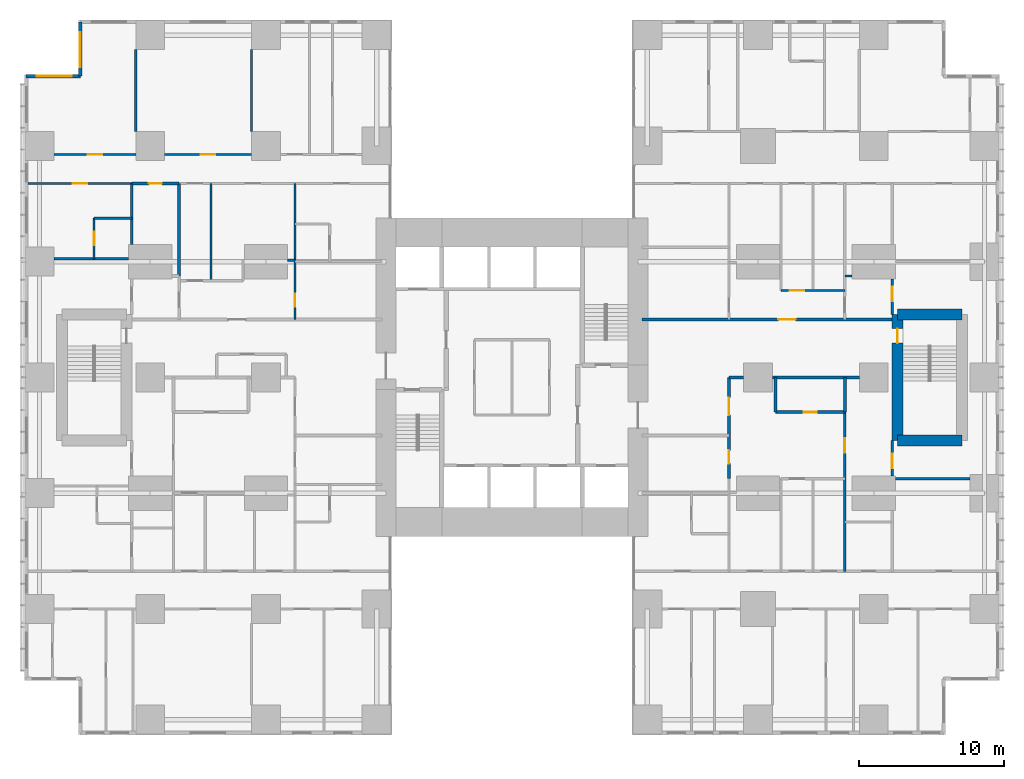
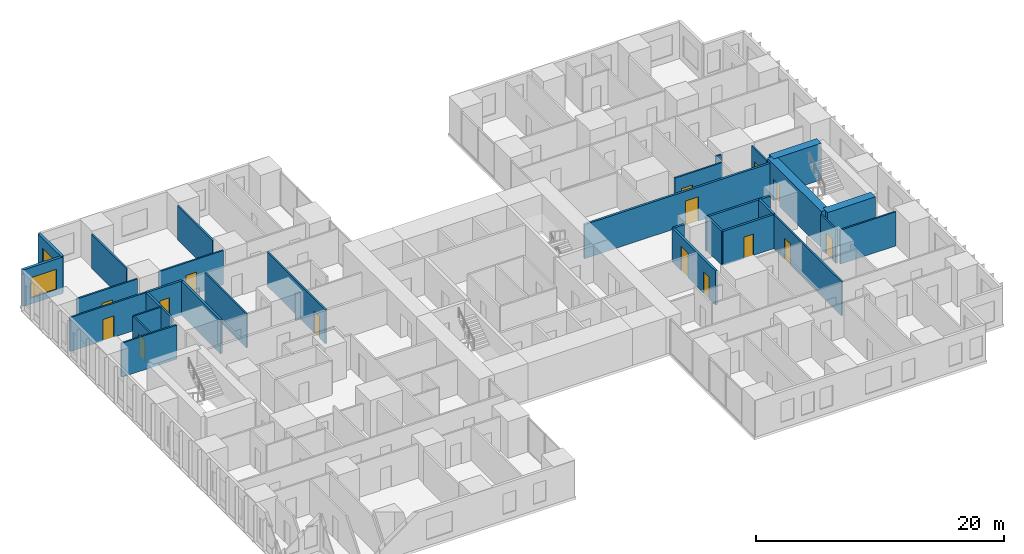
# One storey, part 16 of 20: 32 walls, 15 doors, 2 windows, 17 openings.
"""IFC4 building model written with IfcOpenShell, lengths in metres."""

from ifc_helpers import new_model, si_unit, direction, frame, frame_2d, origin, place, context, subcontext, project, spatial, rectangle, extrude, material, layer, layer_set, type_object, element, fill, save


model = new_model("IFC4")

# Units and contexts
model_context = context("Model", 3, precision=1e-05, world=origin(), true_north=direction((0.0, 1.0)))
body_context = subcontext(model_context, "Body", "Model", "MODEL_VIEW")
ifc_project = project(units=[si_unit("LENGTHUNIT", "METRE"), si_unit("AREAUNIT", "SQUARE_METRE"), si_unit("VOLUMEUNIT", "CUBIC_METRE"), si_unit("PLANEANGLEUNIT", "RADIAN"), si_unit("MASSUNIT", "GRAM", prefix="KILO")], contexts=[model_context])

# Site, building, storey
site_placement = place(None, origin())
site = spatial("IfcSite", under=ifc_project, at=site_placement, CompositionType="ELEMENT")
building_placement = place(site_placement, origin())
building = spatial("IfcBuilding", under=site, at=building_placement, Name="Cleftline Residences", CompositionType="ELEMENT")
storey_placement = place(building_placement, frame((0.0, 0.0, 83.60009765625)))
storey = spatial("IfcBuildingStorey", under=building, at=storey_placement, Name="L21", CompositionType="ELEMENT", Elevation=83.60009765625)

# Wall, opening, window
ifc_material_1 = material(Name="Rendered reinforced concrete blockwork", Category="masonry")
ifc_layer_1 = layer(ifc_material_1, 0.25)
ifc_layer_set_1 = layer_set([ifc_layer_1], Name="EXTERNAL WALL 250")
wall_type_1 = type_object("IfcWallType", Name="EXTERNAL WALL 250", PredefinedType="SOLIDWALL", material=ifc_layer_set_1)
wall_1_placement = place(storey_placement, frame((3.175048828125, 48.574951171875, 0.0), z_axis=(0.0, 0.0, 1.0), x_axis=(0.0, -1.0, 0.0)))
wall_1 = element("IfcWall", 1, at=wall_1_placement, inside=storey, type_object=wall_type_1, Name="External wall", PredefinedType="SOLIDWALL", context=body_context, shape_type="SweptSolid", body=[
    extrude(rectangle(XDim=3.75, YDim=0.25, at=frame_2d((1.875, 0.0))), origin(), (0.0, 0.0, 1.0), 3.599853515625),
])
opening_1_placement = place(wall_1_placement, frame((0.737548828125, 0.0, 0.60009765625)))
opening_1 = element("IfcOpeningElement", 2, at=opening_1_placement, cuts=wall_1, Name="Opening W6", PredefinedType="OPENING", context=body_context, shape_type="SweptSolid", body=[
    extrude(rectangle(XDim=2.39990234375, YDim=2.0, at=frame_2d((1.199951171875, 1.0))), frame((0.0, 0.135009765625, 0.0), z_axis=(0.0, -1.0, 0.0), x_axis=(1.0, 0.0, 0.0)), (0.0, 0.0, 1.0), 0.27001953125),
])
ifc_material_2 = material(Name="Aluminium frame, clear double glazing", Category="aluminium")
window_type = type_object("IfcWindowType", Name="WINDOW 2400X2000", PartitioningType="DOUBLE_PANEL_VERTICAL", PredefinedType="WINDOW", material=ifc_material_2)
window_1_placement = place(opening_1_placement, origin())
window_1 = element("IfcWindow", 3, at=window_1_placement, inside=storey, type_object=window_type, Name="Window", OverallHeight=2.0, OverallWidth=2.39990234375, PartitioningType="SINGLE_PANEL", PredefinedType="WINDOW", context=body_context, shape_type="SweptSolid", body=[
    extrude(rectangle(XDim=2.39990234375, YDim=2.0, at=frame_2d((1.199951171875, 1.0))), frame((0.0, 0.030029296875, 0.0), z_axis=(0.0, -1.0, 0.0), x_axis=(1.0, 0.0, 0.0)), (0.0, 0.0, 1.0), 0.06005859375),
])
fill(opening_1, window_1)

wall_2_placement = place(storey_placement, frame((3.175048828125, 44.824951171875, 0.0), z_axis=(0.0, 0.0, 1.0), x_axis=(-1.0, 0.0, 0.0)))
wall_2 = element("IfcWall", 4, at=wall_2_placement, inside=storey, type_object=wall_type_1, Name="External wall", PredefinedType="SOLIDWALL", context=body_context, shape_type="SweptSolid", body=[
    extrude(rectangle(XDim=3.75, YDim=0.25, at=frame_2d((1.875, 0.0))), origin(), (0.0, 0.0, 1.0), 3.599853515625),
])
opening_2_placement = place(wall_2_placement, frame((0.612548828125, 0.0, 0.60009765625)))
opening_2 = element("IfcOpeningElement", 5, at=opening_2_placement, cuts=wall_2, Name="Opening W6", PredefinedType="OPENING", context=body_context, shape_type="SweptSolid", body=[
    extrude(rectangle(XDim=2.39990234375, YDim=2.0, at=frame_2d((1.199951171875, 1.0))), frame((0.0, 0.135009765625, 0.0), z_axis=(0.0, -1.0, 0.0), x_axis=(1.0, 0.0, 0.0)), (0.0, 0.0, 1.0), 0.27001953125),
])
window_2_placement = place(opening_2_placement, origin())
window_2 = element("IfcWindow", 6, at=window_2_placement, inside=storey, type_object=window_type, Name="Window", OverallHeight=2.0, OverallWidth=2.39990234375, PartitioningType="SINGLE_PANEL", PredefinedType="WINDOW", context=body_context, shape_type="SweptSolid", body=[
    extrude(rectangle(XDim=2.39990234375, YDim=2.0, at=frame_2d((1.199951171875, 1.0))), frame((0.0, 0.030029296875, 0.0), z_axis=(0.0, -1.0, 0.0), x_axis=(1.0, 0.0, 0.0)), (0.0, 0.0, 1.0), 0.06005859375),
])
fill(opening_2, window_2)

# Wall, opening, door
ifc_material_3 = material(Name="Concrete blockwork, fire rated", Category="masonry")
ifc_layer_2 = layer(ifc_material_3, 0.199951171875)
ifc_layer_set_2 = layer_set([ifc_layer_2], Name="FIRE WALL 200")
wall_type_2 = type_object("IfcWallType", Name="FIRE WALL 200", PredefinedType="PARTITIONING", material=ifc_layer_set_2)
wall_3_placement = place(storey_placement, frame((51.199951171875, 21.60009765625, 0.0), z_axis=(0.0, 0.0, 1.0), x_axis=(1.0, 0.0, 0.0)))
wall_3 = element("IfcWall", 7, at=wall_3_placement, inside=storey, type_object=wall_type_2, Name="Fire separating wall", PredefinedType="PARTITIONING", context=body_context, shape_type="SweptSolid", body=[
    extrude(rectangle(XDim=4.800048828125, YDim=0.199951171875, at=frame_2d((2.39990234375, 0.0))), origin(), (0.0, 0.0, 1.0), 3.349853515625),
])
opening_3_placement = place(wall_3_placement, frame((1.949951171875, 0.0, 0.0)))
opening_3 = element("IfcOpeningElement", 8, at=opening_3_placement, cuts=wall_3, Name="Opening D1F30", PredefinedType="OPENING", context=body_context, shape_type="SweptSolid", body=[
    extrude(rectangle(XDim=0.89990234375, YDim=2.10009765625, at=frame_2d((0.449951171875, 1.050048828125))), frame((0.0, 0.10986328125, 0.0), z_axis=(0.0, -1.0, 0.0), x_axis=(1.0, 0.0, 0.0)), (0.0, 0.0, 1.0), 0.219970703125),
])
ifc_material_4 = material(Name="Timber veneer on solid core", Category="wood")
door_type_1 = type_object("IfcDoorType", Name="DOOR 900X2100 EI 30", OperationType="SINGLE_SWING_LEFT", PredefinedType="DOOR", material=ifc_material_4)
door_1_placement = place(opening_3_placement, origin())
door_1 = element("IfcDoor", 9, at=door_1_placement, inside=storey, type_object=door_type_1, Name="Door to cloakroom wc", OperationType="SINGLE_SWING_LEFT", OverallHeight=2.10009765625, OverallWidth=0.89990234375, PredefinedType="DOOR", context=body_context, shape_type="SweptSolid", body=[
    extrude(rectangle(XDim=0.89990234375, YDim=2.10009765625, at=frame_2d((0.449951171875, 1.050048828125))), frame((0.0, 0.02490234375, 0.0), z_axis=(0.0, -1.0, 0.0), x_axis=(1.0, 0.0, 0.0)), (0.0, 0.0, 1.0), 0.050048828125),
])
fill(opening_3, door_1)

# Walls
wall_4_placement = place(storey_placement, frame((48.0, 24.0, 0.0), z_axis=(0.0, 0.0, 1.0), x_axis=(1.0, 0.0, 0.0)))
element("IfcWall", 10, at=wall_4_placement, inside=storey, type_object=wall_type_2, Name="Fire separating wall", PredefinedType="PARTITIONING", context=body_context, shape_type="SweptSolid", body=[
    extrude(rectangle(XDim=1.0, YDim=0.199951171875, at=frame_2d((0.5, 0.0))), origin(), (0.0, 0.0, 1.0), 3.349853515625),
])
wall_5_placement = place(storey_placement, frame((51.0, 24.0, 0.0), z_axis=(0.0, 0.0, 1.0), x_axis=(1.0, 0.0, 0.0)))
element("IfcWall", 11, at=wall_5_placement, inside=storey, type_object=wall_type_2, Name="Fire separating wall", PredefinedType="PARTITIONING", context=body_context, shape_type="SweptSolid", body=[
    extrude(rectangle(XDim=6.0, YDim=0.199951171875, at=frame_2d((3.0, 0.0))), origin(), (0.0, 0.0, 1.0), 3.349853515625),
])

# Wall, opening, door
wall_6_placement = place(storey_placement, frame((42.0, 28.0, 0.0), z_axis=(0.0, 0.0, 1.0), x_axis=(1.0, 0.0, 0.0)))
wall_6 = element("IfcWall", 12, at=wall_6_placement, inside=storey, type_object=wall_type_2, Name="Fire separating wall", PredefinedType="PARTITIONING", context=body_context, shape_type="SweptSolid", body=[
    extrude(rectangle(XDim=17.27490234375, YDim=0.199951171875, at=frame_2d((8.637451171875, 0.0))), origin(), (0.0, 0.0, 1.0), 3.349853515625),
])
opening_4_placement = place(wall_6_placement, frame((9.39990234375, 0.0, 0.0)))
opening_4 = element("IfcOpeningElement", 13, at=opening_4_placement, cuts=wall_6, Name="Opening D4", PredefinedType="OPENING", context=body_context, shape_type="SweptSolid", body=[
    extrude(rectangle(XDim=1.199951171875, YDim=2.39990234375, at=frame_2d((0.60009765625, 1.199951171875))), frame((0.0, 0.10986328125, 0.0), z_axis=(0.0, -1.0, 0.0), x_axis=(1.0, 0.0, 0.0)), (0.0, 0.0, 1.0), 0.219970703125),
])
ifc_material_5 = material(Name="Timber veneer on solid core", Category="wood")
door_type_2 = type_object("IfcDoorType", Name="APARTMENT ENTRANCE DOOR 1200X2400", OperationType="SINGLE_SWING_RIGHT", PredefinedType="DOOR", material=ifc_material_5)
door_2_placement = place(opening_4_placement, origin())
door_2 = element("IfcDoor", 14, at=door_2_placement, inside=storey, type_object=door_type_2, Name="Door to residence entrance foyer", OperationType="SINGLE_SWING_LEFT", OverallHeight=2.39990234375, OverallWidth=1.199951171875, PredefinedType="DOOR", context=body_context, shape_type="SweptSolid", body=[
    extrude(rectangle(XDim=1.199951171875, YDim=2.39990234375, at=frame_2d((0.60009765625, 1.199951171875))), frame((0.0, 0.02490234375, 0.0), z_axis=(0.0, -1.0, 0.0), x_axis=(1.0, 0.0, 0.0)), (0.0, 0.0, 1.0), 0.050048828125),
])
fill(opening_4, door_2)

wall_7_placement = place(storey_placement, frame((6.72509765625, 37.39990234375, 0.0), z_axis=(0.0, 0.0, 1.0), x_axis=(1.0, 0.0, 0.0)))
wall_7 = element("IfcWall", 15, at=wall_7_placement, inside=storey, type_object=wall_type_2, Name="Fire separating wall", PredefinedType="PARTITIONING", context=body_context, shape_type="SweptSolid", body=[
    extrude(rectangle(XDim=3.27490234375, YDim=0.199951171875, at=frame_2d((1.637451171875, 0.0))), origin(), (0.0, 0.0, 1.0), 3.349853515625),
])
opening_5_placement = place(wall_7_placement, frame((1.1875, 0.0, 0.0)))
opening_5 = element("IfcOpeningElement", 16, at=opening_5_placement, cuts=wall_7, Name="Opening D1F30", PredefinedType="OPENING", context=body_context, shape_type="SweptSolid", body=[
    extrude(rectangle(XDim=0.89990234375, YDim=2.10009765625, at=frame_2d((0.449951171875, 1.050048828125))), frame((0.0, 0.10986328125, 0.0), z_axis=(0.0, -1.0, 0.0), x_axis=(1.0, 0.0, 0.0)), (0.0, 0.0, 1.0), 0.219970703125),
])
door_3_placement = place(opening_5_placement, origin())
door_3 = element("IfcDoor", 17, at=door_3_placement, inside=storey, type_object=door_type_1, Name="Door to guest wc", OperationType="SINGLE_SWING_LEFT", OverallHeight=2.10009765625, OverallWidth=0.89990234375, PredefinedType="DOOR", context=body_context, shape_type="SweptSolid", body=[
    extrude(rectangle(XDim=0.89990234375, YDim=2.10009765625, at=frame_2d((0.449951171875, 1.050048828125))), frame((0.0, 0.02490234375, 0.0), z_axis=(0.0, -1.0, 0.0), x_axis=(1.0, 0.0, 0.0)), (0.0, 0.0, 1.0), 0.050048828125),
])
fill(opening_5, door_3)

# Walls
wall_8_placement = place(storey_placement, frame((6.72509765625, 33.199951171875, 0.0), z_axis=(0.0, 0.0, 1.0), x_axis=(0.0, 1.0, 0.0)))
element("IfcWall", 18, at=wall_8_placement, inside=storey, type_object=wall_type_2, Name="Fire separating wall", PredefinedType="PARTITIONING", context=body_context, shape_type="SweptSolid", body=[
    extrude(rectangle(XDim=4.199951171875, YDim=0.199951171875, at=frame_2d((2.10009765625, 0.0))), origin(), (0.0, 0.0, 1.0), 3.349853515625),
])
wall_9_placement = place(storey_placement, frame((10.0, 31.0, 0.0), z_axis=(0.0, 0.0, 1.0), x_axis=(0.0, 1.0, 0.0)))
element("IfcWall", 19, at=wall_9_placement, inside=storey, type_object=wall_type_2, Name="Fire separating wall", PredefinedType="PARTITIONING", context=body_context, shape_type="SweptSolid", body=[
    extrude(rectangle(XDim=6.39990234375, YDim=0.199951171875, at=frame_2d((3.199951171875, 0.0))), origin(), (0.0, 0.0, 1.0), 3.349853515625),
])

# Wall, openings, doors
wall_10_placement = place(storey_placement, frame((48.0, 17.0, 0.0), z_axis=(0.0, 0.0, 1.0), x_axis=(0.0, 1.0, 0.0)))
wall_10 = element("IfcWall", 20, at=wall_10_placement, inside=storey, type_object=wall_type_2, Name="Fire separating wall", PredefinedType="PARTITIONING", context=body_context, shape_type="SweptSolid", body=[
    extrude(rectangle(XDim=7.0, YDim=0.199951171875, at=frame_2d((3.5, 0.0))), origin(), (0.0, 0.0, 1.0), 3.349853515625),
])
opening_6_placement = place(wall_10_placement, frame((4.39990234375, 0.0, 0.0)))
opening_6 = element("IfcOpeningElement", 21, at=opening_6_placement, cuts=wall_10, Name="Opening D4", PredefinedType="OPENING", context=body_context, shape_type="SweptSolid", body=[
    extrude(rectangle(XDim=1.199951171875, YDim=2.39990234375, at=frame_2d((0.60009765625, 1.199951171875))), frame((0.0, 0.10986328125, 0.0), z_axis=(0.0, -1.0, 0.0), x_axis=(1.0, 0.0, 0.0)), (0.0, 0.0, 1.0), 0.219970703125),
])
opening_7_placement = place(wall_10_placement, frame((1.050048828125, 0.0, 0.0)))
opening_7 = element("IfcOpeningElement", 22, at=opening_7_placement, cuts=wall_10, Name="Opening D1F30", PredefinedType="OPENING", context=body_context, shape_type="SweptSolid", body=[
    extrude(rectangle(XDim=0.89990234375, YDim=2.10009765625, at=frame_2d((0.449951171875, 1.050048828125))), frame((0.0, 0.10986328125, 0.0), z_axis=(0.0, -1.0, 0.0), x_axis=(1.0, 0.0, 0.0)), (0.0, 0.0, 1.0), 0.219970703125),
])
door_4_placement = place(opening_6_placement, origin())
door_4 = element("IfcDoor", 23, at=door_4_placement, inside=storey, type_object=door_type_2, Name="Door to residence entrance foyer", OperationType="SINGLE_SWING_LEFT", OverallHeight=2.39990234375, OverallWidth=1.199951171875, PredefinedType="DOOR", context=body_context, shape_type="SweptSolid", body=[
    extrude(rectangle(XDim=1.199951171875, YDim=2.39990234375, at=frame_2d((0.60009765625, 1.199951171875))), frame((0.0, 0.02490234375, 0.0), z_axis=(0.0, -1.0, 0.0), x_axis=(1.0, 0.0, 0.0)), (0.0, 0.0, 1.0), 0.050048828125),
])
fill(opening_6, door_4)
door_5_placement = place(opening_7_placement, origin())
door_5 = element("IfcDoor", 24, at=door_5_placement, inside=storey, type_object=door_type_1, Name="Door to utility room", OperationType="SINGLE_SWING_RIGHT", OverallHeight=2.10009765625, OverallWidth=0.89990234375, PredefinedType="DOOR", context=body_context, shape_type="SweptSolid", body=[
    extrude(rectangle(XDim=0.89990234375, YDim=2.10009765625, at=frame_2d((0.449951171875, 1.050048828125))), frame((0.0, 0.02490234375, 0.0), z_axis=(0.0, -1.0, 0.0), x_axis=(1.0, 0.0, 0.0)), (0.0, 0.0, 1.0), 0.050048828125),
])
fill(opening_7, door_5)

# Walls
for number, where, z_axis, x_axis, name in (
    (25, (51.199951171875, 21.60009765625, 0.0), (0.0, 0.0, 1.0), (0.0, 1.0, 0.0), "Fire separating wall"),
    (26, (56.0, 21.60009765625, 0.0), (0.0, 0.0, 1.0), (0.0, 1.0, 0.0), "Fire separating wall"),
):
    element("IfcWall", number, at=place(storey_placement, frame(where, z_axis=z_axis, x_axis=x_axis)), inside=storey, type_object=wall_type_2, Name=name, PredefinedType="PARTITIONING", context=body_context, shape_type="SweptSolid", body=[
        extrude(rectangle(XDim=2.39990234375, YDim=0.199951171875, at=frame_2d((1.199951171875, 0.0))), origin(), (0.0, 0.0, 1.0), 3.349853515625),
    ])
ifc_material_6 = material(Name="Gypsum board on steel studs", Category="steel")
ifc_layer_3 = layer(ifc_material_6, 0.14990234375)
ifc_layer_set_3 = layer_set([ifc_layer_3], Name="PARTITION 150")
wall_type_3 = type_object("IfcWallType", Name="PARTITION 150", PredefinedType="PARTITIONING", material=ifc_layer_set_3)
wall_11_placement = place(storey_placement, frame((59.5, 17.0, 0.0), z_axis=(0.0, 0.0, 1.0), x_axis=(1.0, 0.0, 0.0)))
element("IfcWall", 27, at=wall_11_placement, inside=storey, type_object=wall_type_3, Name="Partition", PredefinedType="PARTITIONING", context=body_context, shape_type="SweptSolid", body=[
    extrude(rectangle(XDim=5.14990234375, YDim=0.14990234375, at=frame_2d((2.574951171875, 0.0))), origin(), (0.0, 0.0, 1.0), 3.349853515625),
])

# Wall, opening, door
wall_12_placement = place(storey_placement, frame((51.60009765625, 30.0, 0.0), z_axis=(0.0, 0.0, 1.0), x_axis=(1.0, 0.0, 0.0)))
wall_12 = element("IfcWall", 28, at=wall_12_placement, inside=storey, type_object=wall_type_3, Name="Partition", PredefinedType="PARTITIONING", context=body_context, shape_type="SweptSolid", body=[
    extrude(rectangle(XDim=4.39990234375, YDim=0.14990234375, at=frame_2d((2.199951171875, 0.0))), origin(), (0.0, 0.0, 1.0), 3.349853515625),
])
opening_8_placement = place(wall_12_placement, frame((0.60009765625, 0.0, 0.0)))
opening_8 = element("IfcOpeningElement", 29, at=opening_8_placement, cuts=wall_12, Name="Opening D2", PredefinedType="OPENING", context=body_context, shape_type="SweptSolid", body=[
    extrude(rectangle(XDim=1.0, YDim=2.10009765625, at=frame_2d((0.5, 1.050048828125))), frame((0.0, 0.0849609375, 0.0), z_axis=(0.0, -1.0, 0.0), x_axis=(1.0, 0.0, 0.0)), (0.0, 0.0, 1.0), 0.169921875),
])
ifc_material_7 = material(Name="Timber veneer on solid core", Category="wood")
door_type_3 = type_object("IfcDoorType", Name="DOOR 1000X2100", OperationType="SINGLE_SWING_LEFT", PredefinedType="DOOR", material=ifc_material_7)
door_6_placement = place(opening_8_placement, origin())
door_6 = element("IfcDoor", 30, at=door_6_placement, inside=storey, type_object=door_type_3, Name="Door to residence passage", OperationType="SINGLE_SWING_RIGHT", OverallHeight=2.10009765625, OverallWidth=1.0, PredefinedType="DOOR", context=body_context, shape_type="SweptSolid", body=[
    extrude(rectangle(XDim=1.0, YDim=2.10009765625, at=frame_2d((0.5, 1.050048828125))), frame((0.0, 0.02490234375, 0.0), z_axis=(0.0, -1.0, 0.0), x_axis=(1.0, 0.0, 0.0)), (0.0, 0.0, 1.0), 0.050048828125),
])
fill(opening_8, door_6)

# Walls
wall_13_placement = place(storey_placement, frame((56.0, 31.0, 0.0), z_axis=(0.0, 0.0, 1.0), x_axis=(1.0, 0.0, 0.0)))
element("IfcWall", 31, at=wall_13_placement, inside=storey, type_object=wall_type_3, Name="Partition", PredefinedType="PARTITIONING", context=body_context, shape_type="SweptSolid", body=[
    extrude(rectangle(XDim=0.5, YDim=0.14990234375, at=frame_2d((0.25, 0.0))), origin(), (0.0, 0.0, 1.0), 3.349853515625),
])
wall_14_placement = place(storey_placement, frame((17.5, 32.10009765625, 0.0), z_axis=(0.0, 0.0, 1.0), x_axis=(1.0, 0.0, 0.0)))
element("IfcWall", 32, at=wall_14_placement, inside=storey, type_object=wall_type_3, Name="Partition", PredefinedType="PARTITIONING", context=body_context, shape_type="SweptSolid", body=[
    extrude(rectangle(XDim=0.5, YDim=0.14990234375, at=frame_2d((0.25, 0.0))), origin(), (0.0, 0.0, 1.0), 2.6337890625),
])
wall_15_placement = place(storey_placement, frame((1.35009765625, 32.199951171875, 0.0), z_axis=(0.0, 0.0, 1.0), x_axis=(1.0, 0.0, 0.0)))
element("IfcWall", 33, at=wall_15_placement, inside=storey, type_object=wall_type_3, Name="Partition", PredefinedType="PARTITIONING", context=body_context, shape_type="SweptSolid", body=[
    extrude(rectangle(XDim=5.14990234375, YDim=0.14990234375, at=frame_2d((2.574951171875, 0.0))), origin(), (0.0, 0.0, 1.0), 3.349853515625),
])
wall_16_placement = place(storey_placement, frame((4.125, 35.0, 0.0), z_axis=(0.0, 0.0, 1.0), x_axis=(1.0, 0.0, 0.0)))
element("IfcWall", 34, at=wall_16_placement, inside=storey, type_object=wall_type_3, Name="Partition", PredefinedType="PARTITIONING", context=body_context, shape_type="SweptSolid", body=[
    extrude(rectangle(XDim=2.60009765625, YDim=0.14990234375, at=frame_2d((1.300048828125, 0.0))), origin(), (0.0, 0.0, 1.0), 3.349853515625),
])

# Wall, opening, door
wall_17_placement = place(storey_placement, frame((-0.449951171875, 37.39990234375, 0.0), z_axis=(0.0, 0.0, 1.0), x_axis=(1.0, 0.0, 0.0)))
wall_17 = element("IfcWall", 35, at=wall_17_placement, inside=storey, type_object=wall_type_3, Name="Partition", PredefinedType="PARTITIONING", context=body_context, shape_type="SweptSolid", body=[
    extrude(rectangle(XDim=7.175048828125, YDim=0.14990234375, at=frame_2d((3.58740234375, 0.0))), origin(), (0.0, 0.0, 1.0), 3.349853515625),
])
opening_9_placement = place(wall_17_placement, frame((3.08740234375, 0.0, 0.0)))
opening_9 = element("IfcOpeningElement", 36, at=opening_9_placement, cuts=wall_17, Name="Opening D2", PredefinedType="OPENING", context=body_context, shape_type="SweptSolid", body=[
    extrude(rectangle(XDim=1.0, YDim=2.10009765625, at=frame_2d((0.5, 1.050048828125))), frame((0.0, 0.0849609375, 0.0), z_axis=(0.0, -1.0, 0.0), x_axis=(1.0, 0.0, 0.0)), (0.0, 0.0, 1.0), 0.169921875),
])
door_7_placement = place(opening_9_placement, origin())
door_7 = element("IfcDoor", 37, at=door_7_placement, inside=storey, type_object=door_type_3, Name="Door to master bedroom", OperationType="SINGLE_SWING_LEFT", OverallHeight=2.10009765625, OverallWidth=1.0, PredefinedType="DOOR", context=body_context, shape_type="SweptSolid", body=[
    extrude(rectangle(XDim=1.0, YDim=2.10009765625, at=frame_2d((0.5, 1.050048828125))), frame((0.0, 0.02490234375, 0.0), z_axis=(0.0, -1.0, 0.0), x_axis=(1.0, 0.0, 0.0)), (0.0, 0.0, 1.0), 0.050048828125),
])
fill(opening_9, door_7)

wall_18_placement = place(storey_placement, frame((1.35009765625, 39.39990234375, 0.0), z_axis=(0.0, 0.0, 1.0), x_axis=(1.0, 0.0, 0.0)))
wall_18 = element("IfcWall", 38, at=wall_18_placement, inside=storey, type_object=wall_type_3, Name="Partition", PredefinedType="PARTITIONING", context=body_context, shape_type="SweptSolid", body=[
    extrude(rectangle(XDim=5.64990234375, YDim=0.14990234375, at=frame_2d((2.824951171875, 0.0))), origin(), (0.0, 0.0, 1.0), 3.349853515625),
])
opening_10_placement = place(wall_18_placement, frame((2.324951171875, 0.0, 0.0)))
opening_10 = element("IfcOpeningElement", 39, at=opening_10_placement, cuts=wall_18, Name="Opening D2", PredefinedType="OPENING", context=body_context, shape_type="SweptSolid", body=[
    extrude(rectangle(XDim=1.0, YDim=2.10009765625, at=frame_2d((0.5, 1.050048828125))), frame((0.0, 0.0849609375, 0.0), z_axis=(0.0, -1.0, 0.0), x_axis=(1.0, 0.0, 0.0)), (0.0, 0.0, 1.0), 0.169921875),
])
door_8_placement = place(opening_10_placement, origin())
door_8 = element("IfcDoor", 40, at=door_8_placement, inside=storey, type_object=door_type_3, Name="Door to winter garden", OperationType="SINGLE_SWING_LEFT", OverallHeight=2.10009765625, OverallWidth=1.0, PredefinedType="DOOR", context=body_context, shape_type="SweptSolid", body=[
    extrude(rectangle(XDim=1.0, YDim=2.10009765625, at=frame_2d((0.5, 1.050048828125))), frame((0.0, 0.02490234375, 0.0), z_axis=(0.0, -1.0, 0.0), x_axis=(1.0, 0.0, 0.0)), (0.0, 0.0, 1.0), 0.050048828125),
])
fill(opening_10, door_8)

wall_19_placement = place(storey_placement, frame((9.0, 39.39990234375, 0.0), z_axis=(0.0, 0.0, 1.0), x_axis=(1.0, 0.0, 0.0)))
wall_19 = element("IfcWall", 41, at=wall_19_placement, inside=storey, type_object=wall_type_3, Name="Partition", PredefinedType="PARTITIONING", context=body_context, shape_type="SweptSolid", body=[
    extrude(rectangle(XDim=6.0, YDim=0.14990234375, at=frame_2d((3.0, 0.0))), origin(), (0.0, 0.0, 1.0), 3.349853515625),
])
opening_11_placement = place(wall_19_placement, frame((2.5, 0.0, 0.0)))
opening_11 = element("IfcOpeningElement", 42, at=opening_11_placement, cuts=wall_19, Name="Opening D2", PredefinedType="OPENING", context=body_context, shape_type="SweptSolid", body=[
    extrude(rectangle(XDim=1.0, YDim=2.10009765625, at=frame_2d((0.5, 1.050048828125))), frame((0.0, 0.0849609375, 0.0), z_axis=(0.0, -1.0, 0.0), x_axis=(1.0, 0.0, 0.0)), (0.0, 0.0, 1.0), 0.169921875),
])
door_9_placement = place(opening_11_placement, origin())
door_9 = element("IfcDoor", 43, at=door_9_placement, inside=storey, type_object=door_type_3, Name="Door to living room", OperationType="SINGLE_SWING_LEFT", OverallHeight=2.10009765625, OverallWidth=1.0, PredefinedType="DOOR", context=body_context, shape_type="SweptSolid", body=[
    extrude(rectangle(XDim=1.0, YDim=2.10009765625, at=frame_2d((0.5, 1.050048828125))), frame((0.0, 0.02490234375, 0.0), z_axis=(0.0, -1.0, 0.0), x_axis=(1.0, 0.0, 0.0)), (0.0, 0.0, 1.0), 0.050048828125),
])
fill(opening_11, door_9)

wall_20_placement = place(storey_placement, frame((4.125, 32.199951171875, 0.0), z_axis=(0.0, 0.0, 1.0), x_axis=(0.0, 1.0, 0.0)))
wall_20 = element("IfcWall", 44, at=wall_20_placement, inside=storey, type_object=wall_type_3, Name="Partition", PredefinedType="PARTITIONING", context=body_context, shape_type="SweptSolid", body=[
    extrude(rectangle(XDim=2.800048828125, YDim=0.14990234375, at=frame_2d((1.39990234375, 0.0))), origin(), (0.0, 0.0, 1.0), 3.349853515625),
])
opening_12_placement = place(wall_20_placement, frame((0.949951171875, 0.0, 0.0)))
opening_12 = element("IfcOpeningElement", 45, at=opening_12_placement, cuts=wall_20, Name="Opening D1", PredefinedType="OPENING", context=body_context, shape_type="SweptSolid", body=[
    extrude(rectangle(XDim=0.89990234375, YDim=2.10009765625, at=frame_2d((0.449951171875, 1.050048828125))), frame((0.0, 0.0849609375, 0.0), z_axis=(0.0, -1.0, 0.0), x_axis=(1.0, 0.0, 0.0)), (0.0, 0.0, 1.0), 0.169921875),
])
ifc_material_8 = material(Name="Timber veneer on solid core", Category="wood")
door_type_4 = type_object("IfcDoorType", Name="DOOR 900X2100", OperationType="SINGLE_SWING_LEFT", PredefinedType="DOOR", material=ifc_material_8)
door_10_placement = place(opening_12_placement, origin())
door_10 = element("IfcDoor", 46, at=door_10_placement, inside=storey, type_object=door_type_4, Name="Door to master bathroom", OperationType="SINGLE_SWING_LEFT", OverallHeight=2.10009765625, OverallWidth=0.89990234375, PredefinedType="DOOR", context=body_context, shape_type="SweptSolid", body=[
    extrude(rectangle(XDim=0.89990234375, YDim=2.10009765625, at=frame_2d((0.449951171875, 1.050048828125))), frame((0.0, 0.02490234375, 0.0), z_axis=(0.0, -1.0, 0.0), x_axis=(1.0, 0.0, 0.0)), (0.0, 0.0, 1.0), 0.050048828125),
])
fill(opening_12, door_10)

# Walls
wall_21_placement = place(storey_placement, frame((7.0, 41.0, 0.0), z_axis=(0.0, 0.0, 1.0), x_axis=(0.0, 1.0, 0.0)))
element("IfcWall", 47, at=wall_21_placement, inside=storey, type_object=wall_type_3, Name="Partition", PredefinedType="PARTITIONING", context=body_context, shape_type="SweptSolid", body=[
    extrude(rectangle(XDim=5.64990234375, YDim=0.14990234375, at=frame_2d((2.824951171875, 0.0))), origin(), (0.0, 0.0, 1.0), 3.349853515625),
])
wall_22_placement = place(storey_placement, frame((12.199951171875, 30.675048828125, 0.0), z_axis=(0.0, 0.0, 1.0), x_axis=(0.0, 1.0, 0.0)))
element("IfcWall", 48, at=wall_22_placement, inside=storey, type_object=wall_type_3, Name="Partition", PredefinedType="PARTITIONING", context=body_context, shape_type="SweptSolid", body=[
    extrude(rectangle(XDim=6.724853515625, YDim=0.14990234375, at=frame_2d((3.3623046875, 0.0))), origin(), (0.0, 0.0, 1.0), 3.349853515625),
])
wall_23_placement = place(storey_placement, frame((15.0, 41.0, 0.0), z_axis=(0.0, 0.0, 1.0), x_axis=(0.0, 1.0, 0.0)))
element("IfcWall", 49, at=wall_23_placement, inside=storey, type_object=wall_type_3, Name="Partition", PredefinedType="PARTITIONING", context=body_context, shape_type="SweptSolid", body=[
    extrude(rectangle(XDim=5.64990234375, YDim=0.14990234375, at=frame_2d((2.824951171875, 0.0))), origin(), (0.0, 0.0, 1.0), 3.349853515625),
])

# Wall, opening, door
wall_24_placement = place(storey_placement, frame((18.0, 28.0, 0.0), z_axis=(0.0, 0.0, 1.0), x_axis=(0.0, 1.0, 0.0)))
wall_24 = element("IfcWall", 50, at=wall_24_placement, inside=storey, type_object=wall_type_3, Name="Partition", PredefinedType="PARTITIONING", context=body_context, shape_type="SweptSolid", body=[
    extrude(rectangle(XDim=9.39990234375, YDim=0.14990234375, at=frame_2d((4.699951171875, 0.0))), origin(), (0.0, 0.0, 1.0), 3.349853515625),
])
opening_13_placement = place(wall_24_placement, frame((0.887451171875, 0.0, 0.0)))
opening_13 = element("IfcOpeningElement", 51, at=opening_13_placement, cuts=wall_24, Name="Opening D1", PredefinedType="OPENING", context=body_context, shape_type="SweptSolid", body=[
    extrude(rectangle(XDim=0.89990234375, YDim=2.10009765625, at=frame_2d((0.449951171875, 1.050048828125))), frame((0.0, 0.0849609375, 0.0), z_axis=(0.0, -1.0, 0.0), x_axis=(1.0, 0.0, 0.0)), (0.0, 0.0, 1.0), 0.169921875),
])
door_11_placement = place(opening_13_placement, origin())
door_11 = element("IfcDoor", 52, at=door_11_placement, inside=storey, type_object=door_type_4, Name="Door to utility room", OperationType="SINGLE_SWING_RIGHT", OverallHeight=2.10009765625, OverallWidth=0.89990234375, PredefinedType="DOOR", context=body_context, shape_type="SweptSolid", body=[
    extrude(rectangle(XDim=0.89990234375, YDim=2.10009765625, at=frame_2d((0.449951171875, 1.050048828125))), frame((0.0, 0.02490234375, 0.0), z_axis=(0.0, -1.0, 0.0), x_axis=(1.0, 0.0, 0.0)), (0.0, 0.0, 1.0), 0.050048828125),
])
fill(opening_13, door_11)

wall_25_placement = place(storey_placement, frame((56.0, 10.60009765625, 0.0), z_axis=(0.0, 0.0, 1.0), x_axis=(0.0, 1.0, 0.0)))
wall_25 = element("IfcWall", 53, at=wall_25_placement, inside=storey, type_object=wall_type_3, Name="Partition", PredefinedType="PARTITIONING", context=body_context, shape_type="SweptSolid", body=[
    extrude(rectangle(XDim=11.0, YDim=0.14990234375, at=frame_2d((5.5, 0.0))), origin(), (0.0, 0.0, 1.0), 3.349853515625),
])
opening_14_placement = place(wall_25_placement, frame((8.199951171875, 0.0, 0.0)))
opening_14 = element("IfcOpeningElement", 54, at=opening_14_placement, cuts=wall_25, Name="Opening D2F30", PredefinedType="OPENING", context=body_context, shape_type="SweptSolid", body=[
    extrude(rectangle(XDim=1.0, YDim=2.10009765625, at=frame_2d((0.5, 1.050048828125))), frame((0.0, 0.0849609375, 0.0), z_axis=(0.0, -1.0, 0.0), x_axis=(1.0, 0.0, 0.0)), (0.0, 0.0, 1.0), 0.169921875),
])
ifc_material_9 = material(Name="Timber veneer on solid core", Category="wood")
door_type_5 = type_object("IfcDoorType", Name="DOOR 1000X2100 EI 30", OperationType="SINGLE_SWING_LEFT", PredefinedType="DOOR", material=ifc_material_9)
door_12_placement = place(opening_14_placement, origin())
door_12 = element("IfcDoor", 55, at=door_12_placement, inside=storey, type_object=door_type_5, Name="Door to residence lobby", OperationType="SINGLE_SWING_LEFT", OverallHeight=2.10009765625, OverallWidth=1.0, PredefinedType="DOOR", context=body_context, shape_type="SweptSolid", body=[
    extrude(rectangle(XDim=1.0, YDim=2.10009765625, at=frame_2d((0.5, 1.050048828125))), frame((0.0, 0.02490234375, 0.0), z_axis=(0.0, -1.0, 0.0), x_axis=(1.0, 0.0, 0.0)), (0.0, 0.0, 1.0), 0.050048828125),
])
fill(opening_14, door_12)

wall_26_placement = place(storey_placement, frame((59.27490234375, 17.199951171875, 0.0), z_axis=(0.0, 0.0, 1.0), x_axis=(0.0, 1.0, 0.0)))
wall_26 = element("IfcWall", 56, at=wall_26_placement, inside=storey, type_object=wall_type_3, Name="Partition", PredefinedType="PARTITIONING", context=body_context, shape_type="SweptSolid", body=[
    extrude(rectangle(XDim=2.449951171875, YDim=0.14990234375, at=frame_2d((1.22509765625, 0.0))), origin(), (0.0, 0.0, 1.0), 3.349853515625),
])
opening_15_placement = place(wall_26_placement, frame((0.53759765625, 0.0, 0.0)))
opening_15 = element("IfcOpeningElement", 57, at=opening_15_placement, cuts=wall_26, Name="Opening D2", PredefinedType="OPENING", context=body_context, shape_type="SweptSolid", body=[
    extrude(rectangle(XDim=1.0, YDim=2.10009765625, at=frame_2d((0.5, 1.050048828125))), frame((0.0, 0.0849609375, 0.0), z_axis=(0.0, -1.0, 0.0), x_axis=(1.0, 0.0, 0.0)), (0.0, 0.0, 1.0), 0.169921875),
])
door_13_placement = place(opening_15_placement, origin())
door_13 = element("IfcDoor", 58, at=door_13_placement, inside=storey, type_object=door_type_3, Name="Door to winter garden", OperationType="SINGLE_SWING_RIGHT", OverallHeight=2.10009765625, OverallWidth=1.0, PredefinedType="DOOR", context=body_context, shape_type="SweptSolid", body=[
    extrude(rectangle(XDim=1.0, YDim=2.10009765625, at=frame_2d((0.5, 1.050048828125))), frame((0.0, 0.02490234375, 0.0), z_axis=(0.0, -1.0, 0.0), x_axis=(1.0, 0.0, 0.0)), (0.0, 0.0, 1.0), 0.050048828125),
])
fill(opening_15, door_13)

wall_27_placement = place(storey_placement, frame((59.27490234375, 28.35009765625, 0.0), z_axis=(0.0, 0.0, 1.0), x_axis=(0.0, 1.0, 0.0)))
wall_27 = element("IfcWall", 59, at=wall_27_placement, inside=storey, type_object=wall_type_3, Name="Partition", PredefinedType="PARTITIONING", context=body_context, shape_type="SweptSolid", body=[
    extrude(rectangle(XDim=2.449951171875, YDim=0.14990234375, at=frame_2d((1.22509765625, 0.0))), origin(), (0.0, 0.0, 1.0), 3.349853515625),
])
opening_16_placement = place(wall_27_placement, frame((0.91259765625, 0.0, 0.0)))
opening_16 = element("IfcOpeningElement", 60, at=opening_16_placement, cuts=wall_27, Name="Opening D2", PredefinedType="OPENING", context=body_context, shape_type="SweptSolid", body=[
    extrude(rectangle(XDim=1.0, YDim=2.10009765625, at=frame_2d((0.5, 1.050048828125))), frame((0.0, 0.0849609375, 0.0), z_axis=(0.0, -1.0, 0.0), x_axis=(1.0, 0.0, 0.0)), (0.0, 0.0, 1.0), 0.169921875),
])
door_14_placement = place(opening_16_placement, origin())
door_14 = element("IfcDoor", 61, at=door_14_placement, inside=storey, type_object=door_type_3, Name="Door to sea-view dining room", OperationType="SINGLE_SWING_LEFT", OverallHeight=2.10009765625, OverallWidth=1.0, PredefinedType="DOOR", context=body_context, shape_type="SweptSolid", body=[
    extrude(rectangle(XDim=1.0, YDim=2.10009765625, at=frame_2d((0.5, 1.050048828125))), frame((0.0, 0.02490234375, 0.0), z_axis=(0.0, -1.0, 0.0), x_axis=(1.0, 0.0, 0.0)), (0.0, 0.0, 1.0), 0.050048828125),
])
fill(opening_16, door_14)

# Walls
ifc_material_10 = material(Name="Concrete B70", Category="concrete")
ifc_layer_4 = layer(ifc_material_10, 0.75)
ifc_layer_set_4 = layer_set([ifc_layer_4], Name="SHEAR WALL 750")
wall_type_4 = type_object("IfcWallType", Name="SHEAR WALL 750", PredefinedType="SHEAR", material=ifc_layer_set_4)
for number, where, z_axis, x_axis, name in (
    (62, (59.64990234375, 19.64990234375, 0.0), (0.0, 0.0, 1.0), (1.0, 0.0, 0.0), "Wing shear wall"),
    (63, (64.10009765625, 28.35009765625, 0.0), (0.0, 0.0, 1.0), (-1.0, 0.0, 0.0), "Wing shear wall"),
):
    element("IfcWall", number, at=place(storey_placement, frame(where, z_axis=z_axis, x_axis=x_axis)), inside=storey, type_object=wall_type_4, Name=name, PredefinedType="SHEAR", context=body_context, shape_type="SweptSolid", body=[
        extrude(rectangle(XDim=4.4501953125, YDim=0.75, at=frame_2d((2.22509765625, 0.0))), origin(), (0.0, 0.0, 1.0), 3.599853515625),
    ])

# Wall, opening, door
wall_28_placement = place(storey_placement, frame((59.64990234375, 28.35009765625, 0.0), z_axis=(0.0, 0.0, 1.0), x_axis=(0.0, -1.0, 0.0)))
wall_28 = element("IfcWall", 64, at=wall_28_placement, inside=storey, type_object=wall_type_4, Name="Wing shear wall", PredefinedType="SHEAR", context=body_context, shape_type="SweptSolid", body=[
    extrude(rectangle(XDim=8.7001953125, YDim=0.75, at=frame_2d((4.35009765625, 0.0))), origin(), (0.0, 0.0, 1.0), 3.599853515625),
])
opening_17_placement = place(wall_28_placement, frame((0.97509765625, 0.0, 0.0)))
opening_17 = element("IfcOpeningElement", 65, at=opening_17_placement, cuts=wall_28, Name="Opening D5", PredefinedType="OPENING", context=body_context, shape_type="SweptSolid", body=[
    extrude(rectangle(XDim=1.0, YDim=2.10009765625, at=frame_2d((0.5, 1.050048828125))), frame((0.0, 0.385009765625, 0.0), z_axis=(0.0, -1.0, 0.0), x_axis=(1.0, 0.0, 0.0)), (0.0, 0.0, 1.0), 0.77001953125),
])
ifc_material_11 = material(Name="Steel", Category="steel")
door_type_6 = type_object("IfcDoorType", Name="STAIR DOOR 1000X2100", OperationType="SINGLE_SWING_LEFT", PredefinedType="DOOR", material=ifc_material_11)
door_15_placement = place(opening_17_placement, origin())
door_15 = element("IfcDoor", 66, at=door_15_placement, inside=storey, type_object=door_type_6, Name="Stair E door", OperationType="SINGLE_SWING_RIGHT", OverallHeight=2.10009765625, OverallWidth=1.0, PredefinedType="DOOR", context=body_context, shape_type="SweptSolid", body=[
    extrude(rectangle(XDim=1.0, YDim=2.10009765625, at=frame_2d((0.5, 1.050048828125))), frame((0.0, 0.02490234375, 0.0), z_axis=(0.0, -1.0, 0.0), x_axis=(1.0, 0.0, 0.0)), (0.0, 0.0, 1.0), 0.050048828125),
])
fill(opening_17, door_15)

save(model, "model.ifc")
